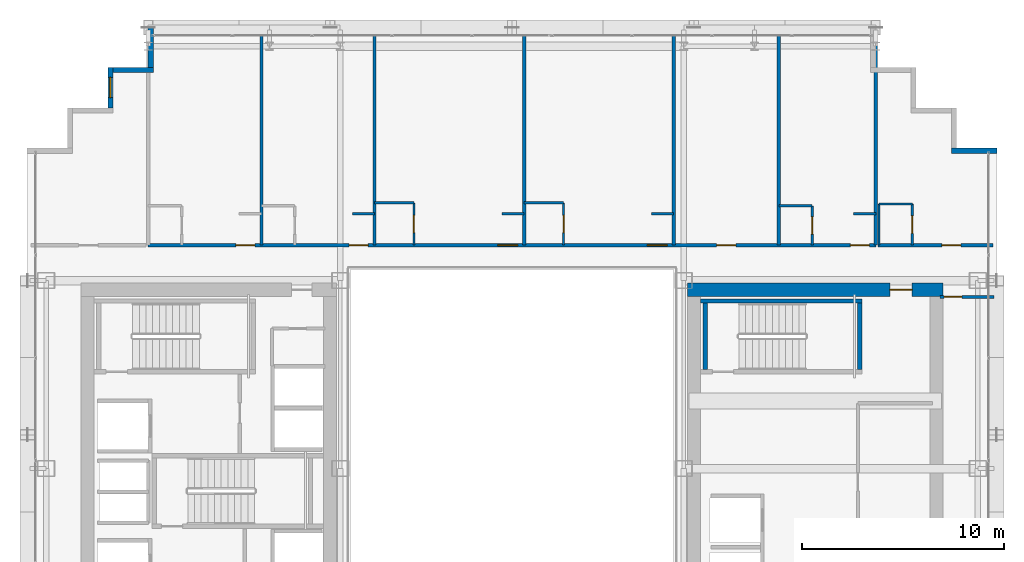
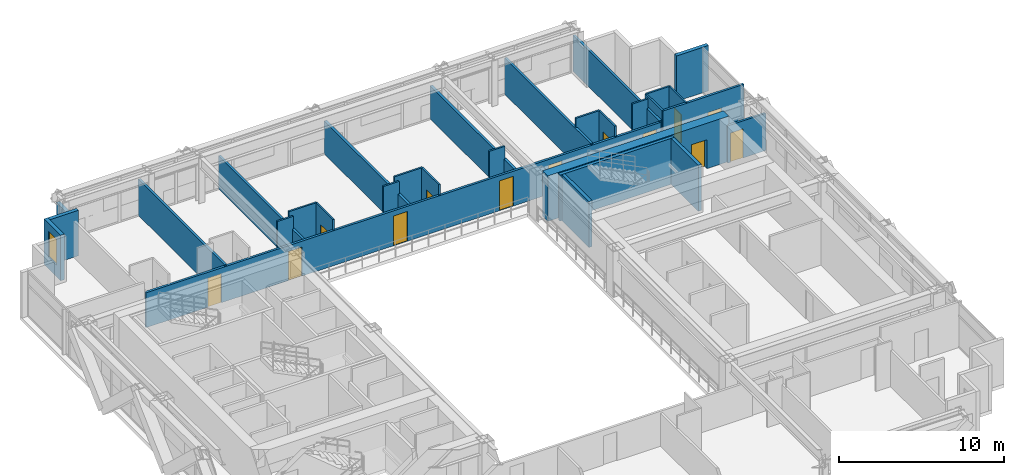
# One storey, part 30 of 35: 30 walls, 13 doors, 1 window, 14 openings.
"""IFC4 building model written with IfcOpenShell, lengths in metres."""

from ifc_helpers import new_model, si_unit, direction, frame, frame_2d, origin, place, context, subcontext, project, spatial, rectangle, extrude, source, transform, mapped, material, layer, layer_set, type_object, element, fill, save


model = new_model("IFC4")

# Units and contexts
model_context = context("Model", 3, precision=1e-05, world=origin(), true_north=direction((0.0, 1.0)))
body_context = subcontext(model_context, "Body", "Model", "MODEL_VIEW")
ifc_project = project(units=[si_unit("LENGTHUNIT", "METRE"), si_unit("AREAUNIT", "SQUARE_METRE"), si_unit("VOLUMEUNIT", "CUBIC_METRE"), si_unit("PLANEANGLEUNIT", "RADIAN"), si_unit("MASSUNIT", "GRAM", prefix="KILO")], contexts=[model_context])

# Site, building, storey
site_placement = place(None, origin())
site = spatial("IfcSite", under=ifc_project, at=site_placement, CompositionType="ELEMENT")
building_placement = place(site_placement, origin())
building = spatial("IfcBuilding", under=site, at=building_placement, Name="Ocotamira Hotel", CompositionType="ELEMENT")
storey_placement = place(building_placement, frame((0.0, 0.0, 144.0)))
storey = spatial("IfcBuildingStorey", under=building, at=storey_placement, Name="L36", CompositionType="ELEMENT", Elevation=144.0)

# Wall, opening, door
ifc_material_1 = material(Name="Concrete C60/75", Category="concrete")
ifc_layer_1 = layer(ifc_material_1, 0.64990234375)
ifc_layer_set_1 = layer_set([ifc_layer_1], Name="Concrete C60/75")
wall_type_1 = type_object("IfcWallType", Name="WL-CORE-650", PredefinedType="SHEAR", material=ifc_layer_set_1)
wall_1_placement = place(storey_placement, frame((40.675048828125, 37.0, 0.0), z_axis=(0.0, 0.0, 1.0), x_axis=(1.0, 0.0, 0.0)))
wall_1 = element("IfcWall", 1, at=wall_1_placement, inside=storey, type_object=wall_type_1, Name="L36 Shear Core Wall ECORE-N", PredefinedType="SHEAR", context=body_context, shape_type="SweptSolid", body=[
    extrude(rectangle(XDim=12.64990234375, YDim=0.64990234375, at=frame_2d((6.324951171875, 0.0))), origin(), (0.0, 0.0, 1.0), 3.360107421875),
])
opening_1_placement = place(wall_1_placement, frame((10.02490234375, 0.0, 0.0)))
opening_1 = element("IfcOpeningElement", 2, at=opening_1_placement, cuts=wall_1, Name="Opening D-FR1", PredefinedType="OPENING", context=body_context, shape_type="SweptSolid", body=[
    extrude(rectangle(XDim=1.10009765625, YDim=2.14990234375, at=frame_2d((0.550048828125, 1.074951171875))), frame((0.0, 0.3349609375, 0.0), z_axis=(0.0, -1.0, 0.0), x_axis=(1.0, 0.0, 0.0)), (0.0, 0.0, 1.0), 0.669921875),
])
ifc_material_2 = material(Name="Fire-rated acoustic timber-veneer door", Category="wood")
door_type_1 = type_object("IfcDoorType", Name="DR-FIRE-1100", OperationType="NOTDEFINED", PredefinedType="DOOR", material=ifc_material_2)
shared_shape_1 = source(origin(), body_context, "Body", "SweptSolid", [
    extrude(rectangle(XDim=1.10009765625, YDim=2.14990234375, at=frame_2d((0.550048828125, 1.074951171875))), frame((0.0, 0.02490234375, 0.0), z_axis=(0.0, -1.0, 0.0), x_axis=(1.0, 0.0, 0.0)), (0.0, 0.0, 1.0), 0.050048828125),
])
door_1_placement = place(opening_1_placement, origin())
door_1 = element("IfcDoor", 3, at=door_1_placement, inside=storey, type_object=door_type_1, Name="L36 Door ID-L36-ELOB-N-D [ID-L36-ELOB-N-D]", OperationType="SINGLE_SWING_LEFT", OverallHeight=2.14990234375, OverallWidth=1.10009765625, PredefinedType="DOOR", context=body_context, shape_type="MappedRepresentation", body=[
    mapped(shared_shape_1, transform((0.0, 0.0, 0.0), scale=1.0)),
])
fill(opening_1, door_1)

# Walls
ifc_material_3 = material(Name="Precast concrete C45/55", Category="concrete")
ifc_layer_2 = layer(ifc_material_3, 0.25)
ifc_layer_set_2 = layer_set([ifc_layer_2], Name="Precast concrete C45/55")
wall_type_2 = type_object("IfcWallType", Name="WL-EXT-SER-250", PredefinedType="SOLIDWALL", material=ifc_layer_set_2)
wall_2_placement = place(storey_placement, frame((56.0, 43.875, 0.0), z_axis=(0.0, 0.0, 1.0), x_axis=(-1.0, 0.0, 0.0)))
element("IfcWall", 4, at=wall_2_placement, inside=storey, type_object=wall_type_2, Name="L36 Serrated Corner Wall 07", PredefinedType="SOLIDWALL", context=body_context, shape_type="SweptSolid", body=[
    extrude(rectangle(XDim=2.25, YDim=0.25, at=frame_2d((1.125, 0.0))), origin(), (0.0, 0.0, 1.0), 3.360107421875),
])
wall_3_placement = place(storey_placement, frame((14.125, 50.0, 0.0), z_axis=(0.0, 0.0, 1.0), x_axis=(0.0, -1.0, 0.0)))
element("IfcWall", 5, at=wall_3_placement, inside=storey, type_object=wall_type_2, Name="L36 Serrated Corner Wall 13", PredefinedType="SOLIDWALL", context=body_context, shape_type="SweptSolid", body=[
    extrude(rectangle(XDim=2.0, YDim=0.25, at=frame_2d((1.0, 0.0))), origin(), (0.0, 0.0, 1.0), 2.6669921875),
])
wall_4_placement = place(storey_placement, frame((14.25, 47.875, 0.0), z_axis=(0.0, 0.0, 1.0), x_axis=(-1.0, 0.0, 0.0)))
element("IfcWall", 6, at=wall_4_placement, inside=storey, type_object=wall_type_2, Name="L36 Serrated Corner Wall 14", PredefinedType="SOLIDWALL", context=body_context, shape_type="SweptSolid", body=[
    extrude(rectangle(XDim=2.0, YDim=0.25, at=frame_2d((1.0, 0.0))), origin(), (0.0, 0.0, 1.0), 3.360107421875),
])

# Wall, opening, window
wall_5_placement = place(storey_placement, frame((12.125, 48.0, 0.0), z_axis=(0.0, 0.0, 1.0), x_axis=(0.0, -1.0, 0.0)))
wall_5 = element("IfcWall", 7, at=wall_5_placement, inside=storey, type_object=wall_type_2, Name="L36 Serrated Corner Wall 15", PredefinedType="SOLIDWALL", context=body_context, shape_type="SweptSolid", body=[
    extrude(rectangle(XDim=2.0, YDim=0.25, at=frame_2d((1.0, 0.0))), origin(), (0.0, 0.0, 1.0), 3.360107421875),
])
opening_2_placement = place(wall_5_placement, frame((0.5, 0.0, 0.85009765625)))
opening_2 = element("IfcOpeningElement", 8, at=opening_2_placement, cuts=wall_5, Name="Opening WN-2", PredefinedType="OPENING", context=body_context, shape_type="SweptSolid", body=[
    extrude(rectangle(XDim=1.0, YDim=1.89990234375, at=frame_2d((0.5, 0.949951171875))), frame((0.0, 0.135009765625, 0.0), z_axis=(0.0, -1.0, 0.0), x_axis=(1.0, 0.0, 0.0)), (0.0, 0.0, 1.0), 0.27001953125),
])
ifc_material_4 = material(Name="Double-silver low-E solar glass", Category="glass")
window_type = type_object("IfcWindowType", Name="WIN-SER-1100", PartitioningType="SINGLE_PANEL", PredefinedType="WINDOW", material=ifc_material_4)
shared_shape_2 = source(origin(), body_context, "Body", "SweptSolid", [
    extrude(rectangle(XDim=1.0, YDim=1.89990234375, at=frame_2d((0.5, 0.949951171875))), frame((0.0, 0.030029296875, 0.0), z_axis=(0.0, -1.0, 0.0), x_axis=(1.0, 0.0, 0.0)), (0.0, 0.0, 1.0), 0.06005859375),
])
window_placement = place(opening_2_placement, origin())
window = element("IfcWindow", 9, at=window_placement, inside=storey, type_object=window_type, Name="L36 Serrated Corner Window 15", OverallHeight=1.89990234375, OverallWidth=1.0, PartitioningType="SINGLE_PANEL", PredefinedType="WINDOW", context=body_context, shape_type="MappedRepresentation", body=[
    mapped(shared_shape_2, transform((0.0, 0.0, 0.0), scale=1.0)),
])
fill(opening_2, window)

# Wall, opening, door
ifc_material_5 = material(Name="Acoustic double-layer fire gypsum board partition", Category="gypsum")
ifc_layer_3 = layer(ifc_material_5, 0.159912109375)
ifc_layer_set_3 = layer_set([ifc_layer_3], Name="Acoustic double-layer fire gypsum board partition")
wall_type_3 = type_object("IfcWallType", Name="WL-FIRE-160", PredefinedType="PARTITIONING", material=ifc_layer_set_3)
wall_6_placement = place(storey_placement, frame((50.1201171875, 39.199951171875, 0.0), z_axis=(0.0, 0.0, 1.0), x_axis=(1.0, 0.0, 0.0)))
wall_6 = element("IfcWall", 10, at=wall_6_placement, inside=storey, type_object=wall_type_3, Name="L36 Interior Wall PW-L36-Z2E-CNE-CW", PredefinedType="PARTITIONING", context=body_context, shape_type="SweptSolid", body=[
    extrude(rectangle(XDim=5.679931640625, YDim=0.159912109375, at=frame_2d((2.83984375, 0.0))), origin(), (0.0, 0.0, 1.0), 3.360107421875),
])
opening_3_placement = place(wall_6_placement, frame((3.14990234375, 0.0, 0.0)))
opening_3 = element("IfcOpeningElement", 11, at=opening_3_placement, cuts=wall_6, Name="Opening D-GR1", PredefinedType="OPENING", context=body_context, shape_type="SweptSolid", body=[
    extrude(rectangle(XDim=0.93994140625, YDim=2.14990234375, at=frame_2d((0.469970703125, 1.074951171875))), frame((0.0, 0.08984375, 0.0), z_axis=(0.0, -1.0, 0.0), x_axis=(1.0, 0.0, 0.0)), (0.0, 0.0, 1.0), 0.179931640625),
])
ifc_material_6 = material(Name="Solid-core walnut suite entrance fire door", Category="wood")
door_type_2 = type_object("IfcDoorType", Name="DR-GUEST-940", OperationType="NOTDEFINED", PredefinedType="DOOR", material=ifc_material_6)
shared_shape_3 = source(origin(), body_context, "Body", "SweptSolid", [
    extrude(rectangle(XDim=0.93994140625, YDim=2.14990234375, at=frame_2d((0.469970703125, 1.074951171875))), frame((0.0, 0.02490234375, 0.0), z_axis=(0.0, -1.0, 0.0), x_axis=(1.0, 0.0, 0.0)), (0.0, 0.0, 1.0), 0.050048828125),
])
door_2_placement = place(opening_3_placement, origin())
door_2 = element("IfcDoor", 12, at=door_2_placement, inside=storey, type_object=door_type_2, Name="L36 Door ID-L36-Z2E-CNE-CD [ID-L36-Z2E-CNE-CD]", OperationType="SINGLE_SWING_RIGHT", OverallHeight=2.14990234375, OverallWidth=0.93994140625, PredefinedType="DOOR", context=body_context, shape_type="MappedRepresentation", body=[
    mapped(shared_shape_3, transform((0.0, 0.0, 0.0), scale=1.0)),
])
fill(opening_3, door_2)

# Wall, openings, doors
wall_7_placement = place(storey_placement, frame((14.0, 39.199951171875, 0.0), z_axis=(0.0, 0.0, 1.0), x_axis=(1.0, 0.0, 0.0)))
wall_7 = element("IfcWall", 13, at=wall_7_placement, inside=storey, type_object=wall_type_3, Name="L36 Interior Wall PW-L36-Z2EN-CORRW", PredefinedType="PARTITIONING", context=body_context, shape_type="SweptSolid", body=[
    extrude(rectangle(XDim=36.0, YDim=0.159912109375, at=frame_2d((18.0, 0.0))), origin(), (0.0, 0.0, 1.0), 2.5810546875),
])
opening_4_placement = place(wall_7_placement, frame((4.340087890625, 0.0, 0.0)))
opening_4 = element("IfcOpeningElement", 14, at=opening_4_placement, cuts=wall_7, Name="Opening D-GR1", PredefinedType="OPENING", context=body_context, shape_type="SweptSolid", body=[
    extrude(rectangle(XDim=0.93994140625, YDim=2.14990234375, at=frame_2d((0.469970703125, 1.074951171875))), frame((0.0, 0.08984375, 0.0), z_axis=(0.0, -1.0, 0.0), x_axis=(1.0, 0.0, 0.0)), (0.0, 0.0, 1.0), 0.179931640625),
])
opening_5_placement = place(wall_7_placement, frame((9.93994140625, 0.0, 0.0)))
opening_5 = element("IfcOpeningElement", 15, at=opening_5_placement, cuts=wall_7, Name="Opening D-GR1", PredefinedType="OPENING", context=body_context, shape_type="SweptSolid", body=[
    extrude(rectangle(XDim=0.93994140625, YDim=2.14990234375, at=frame_2d((0.469970703125, 1.074951171875))), frame((0.0, 0.08984375, 0.0), z_axis=(0.0, -1.0, 0.0), x_axis=(1.0, 0.0, 0.0)), (0.0, 0.0, 1.0), 0.179931640625),
])
opening_6_placement = place(wall_7_placement, frame((17.300048828125, 0.0, 0.0)))
opening_6 = element("IfcOpeningElement", 16, at=opening_6_placement, cuts=wall_7, Name="Opening D-GR2", PredefinedType="OPENING", context=body_context, shape_type="SweptSolid", body=[
    extrude(rectangle(XDim=0.97998046875, YDim=2.199951171875, at=frame_2d((0.489990234375, 1.10009765625))), frame((0.0, 0.08984375, 0.0), z_axis=(0.0, -1.0, 0.0), x_axis=(1.0, 0.0, 0.0)), (0.0, 0.0, 1.0), 0.179931640625),
])
opening_7_placement = place(wall_7_placement, frame((24.699951171875, 0.0, 0.0)))
opening_7 = element("IfcOpeningElement", 17, at=opening_7_placement, cuts=wall_7, Name="Opening D-GR2", PredefinedType="OPENING", context=body_context, shape_type="SweptSolid", body=[
    extrude(rectangle(XDim=0.97998046875, YDim=2.199951171875, at=frame_2d((0.489990234375, 1.10009765625))), frame((0.0, 0.08984375, 0.0), z_axis=(0.0, -1.0, 0.0), x_axis=(1.0, 0.0, 0.0)), (0.0, 0.0, 1.0), 0.179931640625),
])
opening_8_placement = place(wall_7_placement, frame((28.1201171875, 0.0, 0.0)))
opening_8 = element("IfcOpeningElement", 18, at=opening_8_placement, cuts=wall_7, Name="Opening D-SV4", PredefinedType="OPENING", context=body_context, shape_type="SweptSolid", body=[
    extrude(rectangle(XDim=0.9599609375, YDim=2.14990234375, at=frame_2d((0.47998046875, 1.074951171875))), frame((0.0, 0.08984375, 0.0), z_axis=(0.0, -1.0, 0.0), x_axis=(1.0, 0.0, 0.0)), (0.0, 0.0, 1.0), 0.179931640625),
])
opening_9_placement = place(wall_7_placement, frame((34.739990234375, 0.0, 0.0)))
opening_9 = element("IfcOpeningElement", 19, at=opening_9_placement, cuts=wall_7, Name="Opening D-GR1", PredefinedType="OPENING", context=body_context, shape_type="SweptSolid", body=[
    extrude(rectangle(XDim=0.93994140625, YDim=2.14990234375, at=frame_2d((0.469970703125, 1.074951171875))), frame((0.0, 0.08984375, 0.0), z_axis=(0.0, -1.0, 0.0), x_axis=(1.0, 0.0, 0.0)), (0.0, 0.0, 1.0), 0.179931640625),
])
ifc_material_7 = material(Name="Fire-rated accessible walnut salon door", Category="wood")
door_type_3 = type_object("IfcDoorType", Name="DR-SERV-960", OperationType="NOTDEFINED", PredefinedType="DOOR", material=ifc_material_7)
shared_shape_4 = source(origin(), body_context, "Body", "SweptSolid", [
    extrude(rectangle(XDim=0.9599609375, YDim=2.14990234375, at=frame_2d((0.47998046875, 1.074951171875))), frame((0.0, 0.02490234375, 0.0), z_axis=(0.0, -1.0, 0.0), x_axis=(1.0, 0.0, 0.0)), (0.0, 0.0, 1.0), 0.050048828125),
])
door_3_placement = place(opening_8_placement, origin())
door_3 = element("IfcDoor", 20, at=door_3_placement, inside=storey, type_object=door_type_3, Name="L36 Door ID-L36-Z2EN-AMD5 [ID-L36-Z2EN-AMD5]", OperationType="SINGLE_SWING_LEFT", OverallHeight=2.14990234375, OverallWidth=0.9599609375, PredefinedType="DOOR", context=body_context, shape_type="MappedRepresentation", body=[
    mapped(shared_shape_4, transform((0.0, 0.0, 0.0), scale=1.0)),
])
fill(opening_8, door_3)
door_4_placement = place(opening_4_placement, origin())
door_4 = element("IfcDoor", 21, at=door_4_placement, inside=storey, type_object=door_type_2, Name="L36 Door ID-L36-Z2EN-RMD1 [ID-L36-Z2EN-RMD1]", OperationType="SINGLE_SWING_LEFT", OverallHeight=2.14990234375, OverallWidth=0.93994140625, PredefinedType="DOOR", context=body_context, shape_type="MappedRepresentation", body=[
    mapped(shared_shape_3, transform((0.0, 0.0, 0.0), scale=1.0)),
])
fill(opening_4, door_4)
door_5_placement = place(opening_5_placement, origin())
door_5 = element("IfcDoor", 22, at=door_5_placement, inside=storey, type_object=door_type_2, Name="L36 Door ID-L36-Z2EN-RMD2 [ID-L36-Z2EN-RMD2]", OperationType="SINGLE_SWING_RIGHT", OverallHeight=2.14990234375, OverallWidth=0.93994140625, PredefinedType="DOOR", context=body_context, shape_type="MappedRepresentation", body=[
    mapped(shared_shape_3, transform((0.0, 0.0, 0.0), scale=1.0)),
])
fill(opening_5, door_5)
door_6_placement = place(opening_9_placement, origin())
door_6 = element("IfcDoor", 23, at=door_6_placement, inside=storey, type_object=door_type_2, Name="L36 Door ID-L36-Z2EN-RMD6 [ID-L36-Z2EN-RMD6]", OperationType="SINGLE_SWING_RIGHT", OverallHeight=2.14990234375, OverallWidth=0.93994140625, PredefinedType="DOOR", context=body_context, shape_type="MappedRepresentation", body=[
    mapped(shared_shape_3, transform((0.0, 0.0, 0.0), scale=1.0)),
])
fill(opening_9, door_6)
ifc_material_8 = material(Name="Solid-core walnut grand-suite entrance fire door", Category="wood")
door_type_4 = type_object("IfcDoorType", Name="DR-GUEST-980", OperationType="NOTDEFINED", PredefinedType="DOOR", material=ifc_material_8)
shared_shape_5 = source(origin(), body_context, "Body", "SweptSolid", [
    extrude(rectangle(XDim=0.97998046875, YDim=2.199951171875, at=frame_2d((0.489990234375, 1.10009765625))), frame((0.0, 0.02490234375, 0.0), z_axis=(0.0, -1.0, 0.0), x_axis=(1.0, 0.0, 0.0)), (0.0, 0.0, 1.0), 0.050048828125),
])
door_7_placement = place(opening_6_placement, origin())
door_7 = element("IfcDoor", 24, at=door_7_placement, inside=storey, type_object=door_type_4, Name="L36 Door ID-L36-Z2EN-RMD3 [ID-L36-Z2EN-RMD3]", OperationType="SINGLE_SWING_LEFT", OverallHeight=2.199951171875, OverallWidth=0.97998046875, PredefinedType="DOOR", context=body_context, shape_type="MappedRepresentation", body=[
    mapped(shared_shape_5, transform((0.0, 0.0, 0.0), scale=1.0)),
])
fill(opening_6, door_7)
door_8_placement = place(opening_7_placement, origin())
door_8 = element("IfcDoor", 25, at=door_8_placement, inside=storey, type_object=door_type_4, Name="L36 Door ID-L36-Z2EN-RMD4 [ID-L36-Z2EN-RMD4]", OperationType="SINGLE_SWING_RIGHT", OverallHeight=2.199951171875, OverallWidth=0.97998046875, PredefinedType="DOOR", context=body_context, shape_type="MappedRepresentation", body=[
    mapped(shared_shape_5, transform((0.0, 0.0, 0.0), scale=1.0)),
])
fill(opening_7, door_8)

# Wall, opening, door
ifc_material_9 = material(Name="Moisture-resistant en-suite tile and gypsum partition", Category="gypsum")
ifc_layer_4 = layer(ifc_material_9, 0.1201171875)
ifc_layer_set_4 = layer_set([ifc_layer_4], Name="Moisture-resistant en-suite tile and gypsum partition")
wall_type_4 = type_object("IfcWallType", Name="WL-PART-120", PredefinedType="PARTITIONING", material=ifc_layer_set_4)
wall_8_placement = place(storey_placement, frame((51.81005859375, 39.199951171875, 0.0), z_axis=(0.0, 0.0, 1.0), x_axis=(0.0, 1.0, 0.0)))
wall_8 = element("IfcWall", 26, at=wall_8_placement, inside=storey, type_object=wall_type_4, Name="L36 Interior Wall PW-L36-Z2E-CNE-BE", PredefinedType="PARTITIONING", context=body_context, shape_type="SweptSolid", body=[
    extrude(rectangle(XDim=2.0400390625, YDim=0.1201171875, at=frame_2d((1.02001953125, 0.0))), origin(), (0.0, 0.0, 1.0), 3.360107421875),
])
opening_10_placement = place(wall_8_placement, frame((0.590087890625, 0.0, 0.0)))
opening_10 = element("IfcOpeningElement", 27, at=opening_10_placement, cuts=wall_8, Name="Opening D-BA1", PredefinedType="OPENING", context=body_context, shape_type="SweptSolid", body=[
    extrude(rectangle(XDim=0.860107421875, YDim=2.10009765625, at=frame_2d((0.43017578125, 1.050048828125))), frame((0.0, 0.070068359375, 0.0), z_axis=(0.0, -1.0, 0.0), x_axis=(1.0, 0.0, 0.0)), (0.0, 0.0, 1.0), 0.14013671875),
])
ifc_material_10 = material(Name="Moisture-sealed en-suite timber door", Category="wood")
door_type_5 = type_object("IfcDoorType", Name="DR-BATH-860", OperationType="NOTDEFINED", PredefinedType="DOOR", material=ifc_material_10)
shared_shape_6 = source(origin(), body_context, "Body", "SweptSolid", [
    extrude(rectangle(XDim=0.860107421875, YDim=2.10009765625, at=frame_2d((0.43017578125, 1.050048828125))), frame((0.0, 0.02490234375, 0.0), z_axis=(0.0, -1.0, 0.0), x_axis=(1.0, 0.0, 0.0)), (0.0, 0.0, 1.0), 0.050048828125),
])
door_9_placement = place(opening_10_placement, origin())
door_9 = element("IfcDoor", 28, at=door_9_placement, inside=storey, type_object=door_type_5, Name="L36 Door ID-L36-Z2E-CNE-BD [ID-L36-Z2E-CNE-BD]", OperationType="SINGLE_SWING_LEFT", OverallHeight=2.10009765625, OverallWidth=0.860107421875, PredefinedType="DOOR", context=body_context, shape_type="MappedRepresentation", body=[
    mapped(shared_shape_6, transform((0.0, 0.0, 0.0), scale=1.0)),
])
fill(opening_10, door_9)

# Walls
wall_9_placement = place(storey_placement, frame((50.159912109375, 39.199951171875, 0.0), z_axis=(0.0, 0.0, 1.0), x_axis=(0.0, 1.0, 0.0)))
element("IfcWall", 29, at=wall_9_placement, inside=storey, type_object=wall_type_4, Name="L36 Interior Wall PW-L36-Z2E-CNE-BW", PredefinedType="PARTITIONING", context=body_context, shape_type="SweptSolid", body=[
    extrude(rectangle(XDim=2.0400390625, YDim=0.1201171875, at=frame_2d((1.02001953125, 0.0))), origin(), (0.0, 0.0, 1.0), 3.360107421875),
])
wall_10_placement = place(storey_placement, frame((50.159912109375, 41.239990234375, 0.0), z_axis=(0.0, 0.0, 1.0), x_axis=(1.0, 0.0, 0.0)))
element("IfcWall", 30, at=wall_10_placement, inside=storey, type_object=wall_type_4, Name="L36 Interior Wall PW-L36-Z2E-CNE-BH", PredefinedType="PARTITIONING", context=body_context, shape_type="SweptSolid", body=[
    extrude(rectangle(XDim=1.650146484375, YDim=0.1201171875, at=frame_2d((0.8251953125, 0.0))), origin(), (0.0, 0.0, 1.0), 3.360107421875),
])
wall_11_placement = place(storey_placement, frame((24.10009765625, 40.75, 0.0), z_axis=(0.0, 0.0, 1.0), x_axis=(1.0, 0.0, 0.0)))
element("IfcWall", 31, at=wall_11_placement, inside=storey, type_object=wall_type_4, Name="L36 Interior Wall PW-L36-Z2EN-DRN2", PredefinedType="PARTITIONING", context=body_context, shape_type="SweptSolid", body=[
    extrude(rectangle(XDim=1.099853515625, YDim=0.1201171875, at=frame_2d((0.5498046875, 0.0))), origin(), (0.0, 0.0, 1.0), 3.360107421875),
])

# Wall, opening, door
wall_12_placement = place(storey_placement, frame((27.14990234375, 39.199951171875, 0.0), z_axis=(0.0, 0.0, 1.0), x_axis=(0.0, 1.0, 0.0)))
wall_12 = element("IfcWall", 32, at=wall_12_placement, inside=storey, type_object=wall_type_4, Name="L36 Interior Wall PW-L36-Z2EN-BAE3", PredefinedType="PARTITIONING", context=body_context, shape_type="SweptSolid", body=[
    extrude(rectangle(XDim=2.10009765625, YDim=0.1201171875, at=frame_2d((1.050048828125, 0.0))), origin(), (0.0, 0.0, 1.0), 3.360107421875),
])
opening_11_placement = place(wall_12_placement, frame((0.6201171875, 0.0, 0.0)))
opening_11 = element("IfcOpeningElement", 33, at=opening_11_placement, cuts=wall_12, Name="Opening D-BA1", PredefinedType="OPENING", context=body_context, shape_type="SweptSolid", body=[
    extrude(rectangle(XDim=0.860107421875, YDim=2.10009765625, at=frame_2d((0.43017578125, 1.050048828125))), frame((0.0, 0.070068359375, 0.0), z_axis=(0.0, -1.0, 0.0), x_axis=(1.0, 0.0, 0.0)), (0.0, 0.0, 1.0), 0.14013671875),
])
door_10_placement = place(opening_11_placement, origin())
door_10 = element("IfcDoor", 34, at=door_10_placement, inside=storey, type_object=door_type_5, Name="L36 Door ID-L36-Z2EN-BAD3 [ID-L36-Z2EN-BAD3]", OperationType="SINGLE_SWING_RIGHT", OverallHeight=2.10009765625, OverallWidth=0.860107421875, PredefinedType="DOOR", context=body_context, shape_type="MappedRepresentation", body=[
    mapped(shared_shape_6, transform((0.0, 0.0, 0.0), scale=1.0)),
])
fill(opening_11, door_10)

# Walls
wall_13_placement = place(storey_placement, frame((25.199951171875, 41.300048828125, 0.0), z_axis=(0.0, 0.0, 1.0), x_axis=(1.0, 0.0, 0.0)))
element("IfcWall", 35, at=wall_13_placement, inside=storey, type_object=wall_type_4, Name="L36 Interior Wall PW-L36-Z2EN-BAN3", PredefinedType="PARTITIONING", context=body_context, shape_type="SweptSolid", body=[
    extrude(rectangle(XDim=1.949951171875, YDim=0.1201171875, at=frame_2d((0.97509765625, 0.0))), origin(), (0.0, 0.0, 1.0), 3.360107421875),
])
wall_14_placement = place(storey_placement, frame((31.5, 40.75, 0.0), z_axis=(0.0, 0.0, 1.0), x_axis=(1.0, 0.0, 0.0)))
element("IfcWall", 36, at=wall_14_placement, inside=storey, type_object=wall_type_4, Name="L36 Interior Wall PW-L36-Z2EN-DRN3", PredefinedType="PARTITIONING", context=body_context, shape_type="SweptSolid", body=[
    extrude(rectangle(XDim=1.10009765625, YDim=0.1201171875, at=frame_2d((0.550048828125, 0.0))), origin(), (0.0, 0.0, 1.0), 3.360107421875),
])

# Wall, opening, door
wall_15_placement = place(storey_placement, frame((34.550048828125, 39.199951171875, 0.0), z_axis=(0.0, 0.0, 1.0), x_axis=(0.0, 1.0, 0.0)))
wall_15 = element("IfcWall", 37, at=wall_15_placement, inside=storey, type_object=wall_type_4, Name="L36 Interior Wall PW-L36-Z2EN-BAE4", PredefinedType="PARTITIONING", context=body_context, shape_type="SweptSolid", body=[
    extrude(rectangle(XDim=2.10009765625, YDim=0.1201171875, at=frame_2d((1.050048828125, 0.0))), origin(), (0.0, 0.0, 1.0), 3.360107421875),
])
opening_12_placement = place(wall_15_placement, frame((0.6201171875, 0.0, 0.0)))
opening_12 = element("IfcOpeningElement", 38, at=opening_12_placement, cuts=wall_15, Name="Opening D-BA1", PredefinedType="OPENING", context=body_context, shape_type="SweptSolid", body=[
    extrude(rectangle(XDim=0.860107421875, YDim=2.10009765625, at=frame_2d((0.43017578125, 1.050048828125))), frame((0.0, 0.070068359375, 0.0), z_axis=(0.0, -1.0, 0.0), x_axis=(1.0, 0.0, 0.0)), (0.0, 0.0, 1.0), 0.14013671875),
])
door_11_placement = place(opening_12_placement, origin())
door_11 = element("IfcDoor", 39, at=door_11_placement, inside=storey, type_object=door_type_5, Name="L36 Door ID-L36-Z2EN-BAD4 [ID-L36-Z2EN-BAD4]", OperationType="SINGLE_SWING_LEFT", OverallHeight=2.10009765625, OverallWidth=0.860107421875, PredefinedType="DOOR", context=body_context, shape_type="MappedRepresentation", body=[
    mapped(shared_shape_6, transform((0.0, 0.0, 0.0), scale=1.0)),
])
fill(opening_12, door_11)

# Walls
wall_16_placement = place(storey_placement, frame((32.60009765625, 41.300048828125, 0.0), z_axis=(0.0, 0.0, 1.0), x_axis=(1.0, 0.0, 0.0)))
element("IfcWall", 40, at=wall_16_placement, inside=storey, type_object=wall_type_4, Name="L36 Interior Wall PW-L36-Z2EN-BAN4", PredefinedType="PARTITIONING", context=body_context, shape_type="SweptSolid", body=[
    extrude(rectangle(XDim=1.949951171875, YDim=0.1201171875, at=frame_2d((0.97509765625, 0.0))), origin(), (0.0, 0.0, 1.0), 3.360107421875),
])
wall_17_placement = place(storey_placement, frame((38.89990234375, 40.75, 0.0), z_axis=(0.0, 0.0, 1.0), x_axis=(1.0, 0.0, 0.0)))
element("IfcWall", 41, at=wall_17_placement, inside=storey, type_object=wall_type_4, Name="L36 Interior Wall PW-L36-Z2EN-DRN4", PredefinedType="PARTITIONING", context=body_context, shape_type="SweptSolid", body=[
    extrude(rectangle(XDim=1.10009765625, YDim=0.1201171875, at=frame_2d((0.550048828125, 0.0))), origin(), (0.0, 0.0, 1.0), 3.360107421875),
])

# Wall, opening, door
wall_18_placement = place(storey_placement, frame((46.85009765625, 39.199951171875, 0.0), z_axis=(0.0, 0.0, 1.0), x_axis=(0.0, 1.0, 0.0)))
wall_18 = element("IfcWall", 42, at=wall_18_placement, inside=storey, type_object=wall_type_4, Name="L36 Interior Wall PW-L36-Z2EN-BAE6", PredefinedType="PARTITIONING", context=body_context, shape_type="SweptSolid", body=[
    extrude(rectangle(XDim=1.949951171875, YDim=0.1201171875, at=frame_2d((0.97509765625, 0.0))), origin(), (0.0, 0.0, 1.0), 3.360107421875),
])
opening_13_placement = place(wall_18_placement, frame((0.544921875, 0.0, 0.0)))
opening_13 = element("IfcOpeningElement", 43, at=opening_13_placement, cuts=wall_18, Name="Opening D-BA1", PredefinedType="OPENING", context=body_context, shape_type="SweptSolid", body=[
    extrude(rectangle(XDim=0.860107421875, YDim=2.10009765625, at=frame_2d((0.43017578125, 1.050048828125))), frame((0.0, 0.070068359375, 0.0), z_axis=(0.0, -1.0, 0.0), x_axis=(1.0, 0.0, 0.0)), (0.0, 0.0, 1.0), 0.14013671875),
])
door_12_placement = place(opening_13_placement, origin())
door_12 = element("IfcDoor", 44, at=door_12_placement, inside=storey, type_object=door_type_5, Name="L36 Door ID-L36-Z2EN-BAD6 [ID-L36-Z2EN-BAD6]", OperationType="SINGLE_SWING_LEFT", OverallHeight=2.10009765625, OverallWidth=0.860107421875, PredefinedType="DOOR", context=body_context, shape_type="MappedRepresentation", body=[
    mapped(shared_shape_6, transform((0.0, 0.0, 0.0), scale=1.0)),
])
fill(opening_13, door_12)

# Walls
wall_19_placement = place(storey_placement, frame((45.199951171875, 41.14990234375, 0.0), z_axis=(0.0, 0.0, 1.0), x_axis=(1.0, 0.0, 0.0)))
element("IfcWall", 45, at=wall_19_placement, inside=storey, type_object=wall_type_4, Name="L36 Interior Wall PW-L36-Z2EN-BAN6", PredefinedType="PARTITIONING", context=body_context, shape_type="SweptSolid", body=[
    extrude(rectangle(XDim=1.650146484375, YDim=0.1201171875, at=frame_2d((0.8251953125, 0.0))), origin(), (0.0, 0.0, 1.0), 3.360107421875),
])
wall_20_placement = place(storey_placement, frame((48.89990234375, 40.75, 0.0), z_axis=(0.0, 0.0, 1.0), x_axis=(1.0, 0.0, 0.0)))
element("IfcWall", 46, at=wall_20_placement, inside=storey, type_object=wall_type_4, Name="L36 Interior Wall PW-L36-Z2EN-DRN6", PredefinedType="PARTITIONING", context=body_context, shape_type="SweptSolid", body=[
    extrude(rectangle(XDim=1.10009765625, YDim=0.1201171875, at=frame_2d((0.550048828125, 0.0))), origin(), (0.0, 0.0, 1.0), 3.360107421875),
])

# Wall, opening, door
ifc_material_11 = material(Name="Acoustic hospitality gypsum board partition", Category="gypsum")
ifc_layer_5 = layer(ifc_material_11, 0.14990234375)
ifc_layer_set_5 = layer_set([ifc_layer_5], Name="Acoustic hospitality gypsum board partition")
wall_type_5 = type_object("IfcWallType", Name="WL-PART-150", PredefinedType="PARTITIONING", material=ifc_layer_set_5)
wall_21_placement = place(storey_placement, frame((53.179931640625, 36.639892578125, 0.0), z_axis=(0.0, 0.0, 1.0), x_axis=(1.0, 0.0, 0.0)))
wall_21 = element("IfcWall", 47, at=wall_21_placement, inside=storey, type_object=wall_type_5, Name="L36 Interior Wall PW-L36-Z2E-EF-WN", PredefinedType="PARTITIONING", context=body_context, shape_type="SweptSolid", body=[
    extrude(rectangle(XDim=2.66015625, YDim=0.14990234375, at=frame_2d((1.330078125, 0.0))), origin(), (0.0, 0.0, 1.0), 2.742919921875),
])
opening_14_placement = place(wall_21_placement, frame((0.199951171875, 0.0, 0.0)))
opening_14 = element("IfcOpeningElement", 48, at=opening_14_placement, cuts=wall_21, Name="Opening D-SV2", PredefinedType="OPENING", context=body_context, shape_type="SweptSolid", body=[
    extrude(rectangle(XDim=0.8798828125, YDim=2.14990234375, at=frame_2d((0.43994140625, 1.074951171875))), frame((0.0, 0.0849609375, 0.0), z_axis=(0.0, -1.0, 0.0), x_axis=(1.0, 0.0, 0.0)), (0.0, 0.0, 1.0), 0.169921875),
])
ifc_material_12 = material(Name="Fire-rated painted steel service door", Category="steel")
door_type_6 = type_object("IfcDoorType", Name="DR-SERV-880", OperationType="NOTDEFINED", PredefinedType="DOOR", material=ifc_material_12)
shared_shape_7 = source(origin(), body_context, "Body", "SweptSolid", [
    extrude(rectangle(XDim=0.8798828125, YDim=2.14990234375, at=frame_2d((0.43994140625, 1.074951171875))), frame((0.0, 0.02490234375, 0.0), z_axis=(0.0, -1.0, 0.0), x_axis=(1.0, 0.0, 0.0)), (0.0, 0.0, 1.0), 0.050048828125),
])
door_13_placement = place(opening_14_placement, origin())
door_13 = element("IfcDoor", 49, at=door_13_placement, inside=storey, type_object=door_type_6, Name="L36 Door ID-L36-Z2E-EF-DN [ID-L36-Z2E-EF-DN]", OperationType="SINGLE_SWING_LEFT", OverallHeight=2.14990234375, OverallWidth=0.8798828125, PredefinedType="DOOR", context=body_context, shape_type="MappedRepresentation", body=[
    mapped(shared_shape_7, transform((0.0, 0.0, 0.0), scale=1.0)),
])
fill(opening_14, door_13)

# Walls
ifc_material_13 = material(Name="Acoustic double-stud hospitality gypsum partition", Category="gypsum")
ifc_layer_6 = layer(ifc_material_13, 0.159912109375)
ifc_layer_set_6 = layer_set([ifc_layer_6], Name="Acoustic double-stud hospitality gypsum partition")
wall_type_6 = type_object("IfcWallType", Name="WL-PART-160", PredefinedType="PARTITIONING", material=ifc_layer_set_6)
for number, where, z_axis, x_axis, name in (
    (50, (50.0, 39.199951171875, 0.0), (0.0, 0.0, 1.0), (0.0, 1.0, 0.0), "L36 Interior Wall PW-L36-Z2EN-PWEND"),
    (51, (19.60009765625, 39.199951171875, 0.0), (0.0, 0.0, 1.0), (0.0, 1.0, 0.0), "L36 Interior Wall PW-L36-Z2EN-PW1"),
):
    element("IfcWall", number, at=place(storey_placement, frame(where, z_axis=z_axis, x_axis=x_axis)), inside=storey, type_object=wall_type_6, Name=name, PredefinedType="PARTITIONING", context=body_context, shape_type="SweptSolid", body=[
        extrude(rectangle(XDim=10.43994140625, YDim=0.159912109375, at=frame_2d((5.219970703125, 0.0))), origin(), (0.0, 0.0, 1.0), 2.6669921875),
    ])
wall_22_placement = place(storey_placement, frame((25.199951171875, 39.199951171875, 0.0), z_axis=(0.0, 0.0, 1.0), x_axis=(0.0, 1.0, 0.0)))
element("IfcWall", 52, at=wall_22_placement, inside=storey, type_object=wall_type_6, Name="L36 Interior Wall PW-L36-Z2EN-PW2", PredefinedType="PARTITIONING", context=body_context, shape_type="SweptSolid", body=[
    extrude(rectangle(XDim=10.43994140625, YDim=0.159912109375, at=frame_2d((5.219970703125, 0.0))), origin(), (0.0, 0.0, 1.0), 2.43310546875),
])
wall_23_placement = place(storey_placement, frame((45.199951171875, 39.199951171875, 0.0), z_axis=(0.0, 0.0, 1.0), x_axis=(0.0, 1.0, 0.0)))
element("IfcWall", 53, at=wall_23_placement, inside=storey, type_object=wall_type_6, Name="L36 Interior Wall PW-L36-Z2EN-PW5", PredefinedType="PARTITIONING", context=body_context, shape_type="SweptSolid", body=[
    extrude(rectangle(XDim=10.43994140625, YDim=0.159912109375, at=frame_2d((5.219970703125, 0.0))), origin(), (0.0, 0.0, 1.0), 2.6669921875),
])
ifc_material_14 = material(Name="Double-stud suite party gypsum partition", Category="gypsum")
ifc_layer_7 = layer(ifc_material_14, 0.175048828125)
ifc_layer_set_7 = layer_set([ifc_layer_7], Name="Double-stud suite party gypsum partition")
wall_type_7 = type_object("IfcWallType", Name="WL-PART-175", PredefinedType="PARTITIONING", material=ifc_layer_set_7)
for number, where, z_axis, x_axis, name in (
    (54, (32.60009765625, 39.199951171875, 0.0), (0.0, 0.0, 1.0), (0.0, 1.0, 0.0), "L36 Interior Wall PW-L36-Z2EN-PW3"),
    (55, (40.0, 39.199951171875, 0.0), (0.0, 0.0, 1.0), (0.0, 1.0, 0.0), "L36 Interior Wall PW-L36-Z2EN-PW4"),
):
    element("IfcWall", number, at=place(storey_placement, frame(where, z_axis=z_axis, x_axis=x_axis)), inside=storey, type_object=wall_type_7, Name=name, PredefinedType="PARTITIONING", context=body_context, shape_type="SweptSolid", body=[
        extrude(rectangle(XDim=10.43994140625, YDim=0.175048828125, at=frame_2d((5.219970703125, 0.0))), origin(), (0.0, 0.0, 1.0), 2.43310546875),
    ])
ifc_material_15 = material(Name="Concrete C50/60", Category="concrete")
ifc_layer_8 = layer(ifc_material_15, 0.219970703125)
ifc_layer_set_8 = layer_set([ifc_layer_8], Name="Concrete C50/60")
wall_type_8 = type_object("IfcWallType", Name="WL-STAIR-220", PredefinedType="SHEAR", material=ifc_layer_set_8)
wall_24_placement = place(storey_placement, frame((41.324951171875, 36.43994140625, 0.0), z_axis=(0.0, 0.0, 1.0), x_axis=(1.0, 0.0, 0.0)))
element("IfcWall", 56, at=wall_24_placement, inside=storey, type_object=wall_type_8, Name="L36 Stair Shaft Structural Wall ST-4-N", PredefinedType="SHEAR", context=body_context, shape_type="SweptSolid", body=[
    extrude(rectangle(XDim=7.985107421875, YDim=0.219970703125, at=frame_2d((3.99267578125, 0.0))), origin(), (0.0, 0.0, 1.0), 3.39990234375),
])
for number, where, z_axis, x_axis, name in (
    (57, (41.56005859375, 33.050048828125, 0.0), (0.0, 0.0, 1.0), (0.0, 1.0, 0.0), "L36 Stair Shaft Structural Wall ST-4-W"),
    (58, (49.199951171875, 33.050048828125, 0.0), (0.0, 0.0, 1.0), (0.0, 1.0, 0.0), "L36 Stair Shaft Structural Wall ST-4-E"),
):
    element("IfcWall", number, at=place(storey_placement, frame(where, z_axis=z_axis, x_axis=x_axis)), inside=storey, type_object=wall_type_8, Name=name, PredefinedType="SHEAR", context=body_context, shape_type="SweptSolid", body=[
        extrude(rectangle(XDim=3.280029296875, YDim=0.219970703125, at=frame_2d((1.64013671875, 0.0))), origin(), (0.0, 0.0, 1.0), 3.39990234375),
    ])

save(model, "model.ifc")
